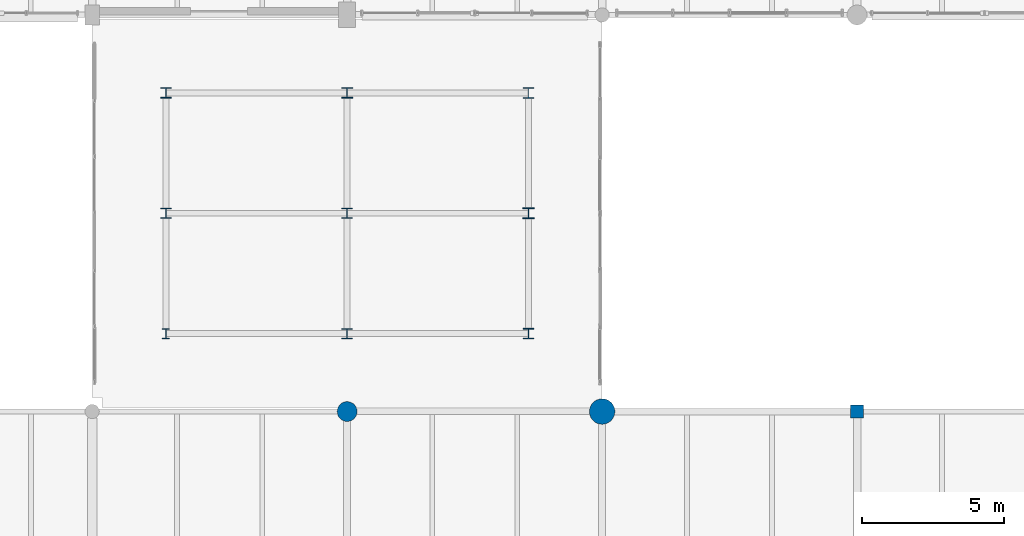
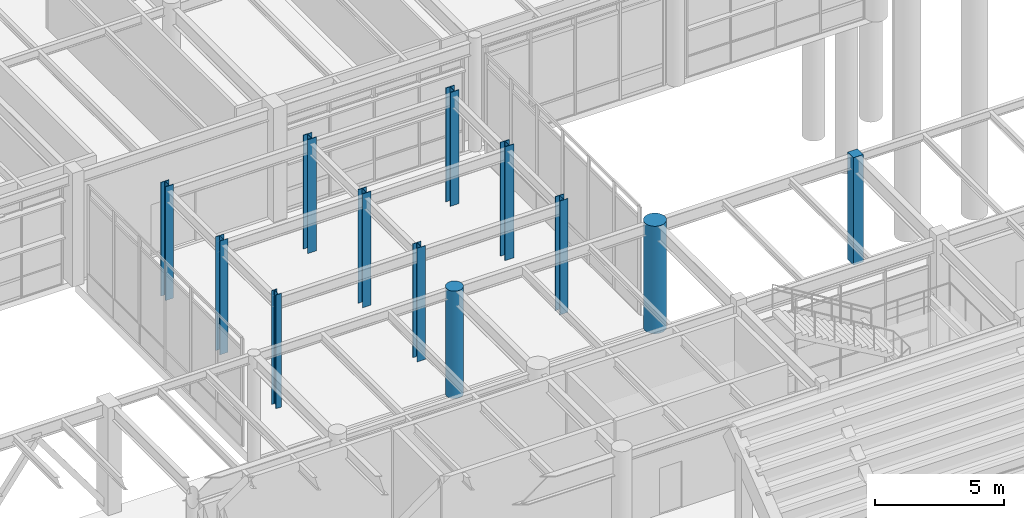
# One storey, part 13 of 203: 12 columns.
"""IFC4 building model written with IfcOpenShell, lengths in metres."""

from ifc_helpers import new_model, si_unit, direction, frame, origin, origin_2d, place, context, subcontext, project, spatial, rectangle, circle, i_section, extrude, material, material_profile, profile_set, type_object, element, save


model = new_model("IFC4")

# Units and contexts
model_context = context("Model", 3, precision=1e-05, world=origin(), true_north=direction((0.0, 1.0)))
body_context = subcontext(model_context, "Body", "Model", "MODEL_VIEW")
ifc_project = project(units=[si_unit("LENGTHUNIT", "METRE"), si_unit("AREAUNIT", "SQUARE_METRE"), si_unit("VOLUMEUNIT", "CUBIC_METRE"), si_unit("PLANEANGLEUNIT", "RADIAN"), si_unit("MASSUNIT", "GRAM", prefix="KILO"), si_unit("THERMODYNAMICTEMPERATUREUNIT", "KELVIN"), si_unit("POWERUNIT", "WATT")], contexts=[model_context])

# Site, building, storey
site_placement = place(None, origin())
site = spatial("IfcSite", under=ifc_project, at=site_placement, CompositionType="ELEMENT")
building_placement = place(site_placement, origin())
building = spatial("IfcBuilding", under=site, at=building_placement, Name="Tepalcoro Natatorium and Aquatics Centre", CompositionType="ELEMENT")
storey_placement = place(building_placement, origin())
storey = spatial("IfcBuildingStorey", under=building, at=storey_placement, Name="L00", CompositionType="ELEMENT", Elevation=0.0)

# Columns
ifc_material_1 = material(Name="Concrete C40/50 (fc 40 MPa)", Category="concrete")
ifc_material_profile_1 = material_profile(ifc_material_1, rectangle(XDim=0.449951171875, YDim=0.449951171875, at=origin_2d()), Name="RC450x450")
ifc_profile_set_1 = profile_set([ifc_material_profile_1], Name="Concrete C40/50 (fc 40 MPa)")
column_type_1 = type_object("IfcColumnType", Name="COL_RC_450x450", PredefinedType="COLUMN", material=ifc_profile_set_1)
column_1_placement = place(storey_placement, frame((80.0, 72.0, 0.0), z_axis=(0.0, 0.0, 1.0), x_axis=(1.0, 0.0, 0.0)))
element("IfcColumn", 1, at=column_1_placement, inside=storey, type_object=column_type_1, Name="V1 L00 Grid Column (80.0, 72.0)", PredefinedType="COLUMN", context=body_context, shape_type="SweptSolid", body=[
    extrude(rectangle(XDim=0.449951171875, YDim=0.449951171875, at=origin_2d()), origin(), (0.0, 0.0, 1.0), 5.10009765625),
])
ifc_material_profile_2 = material_profile(ifc_material_1, circle(Radius=0.35009765625, at=origin_2d()), Name="RCD700")
ifc_profile_set_2 = profile_set([ifc_material_profile_2], Name="Concrete C40/50 (fc 40 MPa)")
column_type_2 = type_object("IfcColumnType", Name="COL_RC_D700", PredefinedType="COLUMN", material=ifc_profile_set_2)
column_2_placement = place(storey_placement, frame((62.0, 72.0, 0.0), z_axis=(0.0, 0.0, 1.0), x_axis=(1.0, 0.0, 0.0)))
element("IfcColumn", 2, at=column_2_placement, inside=storey, type_object=column_type_2, Name="V1 L00 Grid Column (62.0, 72.0)", PredefinedType="COLUMN", context=body_context, shape_type="SweptSolid", body=[
    extrude(circle(Radius=0.35009765625, at=origin_2d()), origin(), (0.0, 0.0, 1.0), 5.10009765625),
])
ifc_material_profile_3 = material_profile(ifc_material_1, circle(Radius=0.449951171875, at=origin_2d()), Name="RCD900")
ifc_profile_set_3 = profile_set([ifc_material_profile_3], Name="Concrete C40/50 (fc 40 MPa)")
column_type_3 = type_object("IfcColumnType", Name="COL_RC_D900", PredefinedType="COLUMN", material=ifc_profile_set_3)
column_3_placement = place(storey_placement, frame((71.0, 72.0, 0.0), z_axis=(0.0, 0.0, 1.0), x_axis=(1.0, 0.0, 0.0)))
element("IfcColumn", 3, at=column_3_placement, inside=storey, type_object=column_type_3, Name="V1 L00 Grid Column (71.0, 72.0)", PredefinedType="COLUMN", context=body_context, shape_type="SweptSolid", body=[
    extrude(circle(Radius=0.449951171875, at=origin_2d()), origin(), (0.0, 0.0, 1.0), 5.10009765625),
])
ifc_material_2 = material(Name="Steel ASTM A992 Grade 50 (Fy 345 MPa)", Category="steel")
ifc_material_profile_4 = material_profile(ifc_material_2, i_section(OverallWidth=0.373046875, OverallDepth=0.367919921875, WebThickness=0.014892578125, FlangeThickness=0.02392578125, FilletRadius=0.013916015625, at=origin_2d()), Name="W14X120")
ifc_profile_set_4 = profile_set([ifc_material_profile_4], Name="Steel ASTM A992 Grade 50 (Fy 345 MPa)")
column_type_4 = type_object("IfcColumnType", Name="COL_W14x120", PredefinedType="COLUMN", material=ifc_profile_set_4)
for number, where, z_axis, x_axis, name in (
    (4, (55.60009765625, 83.25, 0.0), (0.0, 0.0, 1.0), (1.0, 0.0, 0.0), "West Court Swimmers Arcade Column L00"),
    (5, (62.0, 79.0, 0.0), (0.0, 0.0, 1.0), (1.0, 0.0, 0.0), "West Court Swimmers Arcade Column L00"),
    (6, (68.39990234375, 74.75, 0.0), (0.0, 0.0, 1.0), (1.0, 0.0, 0.0), "West Court Swimmers Arcade Column L00"),
):
    element("IfcColumn", number, at=place(storey_placement, frame(where, z_axis=z_axis, x_axis=x_axis)), inside=storey, type_object=column_type_4, Name=name, PredefinedType="COLUMN", context=body_context, shape_type="SweptSolid", body=[
        extrude(i_section(OverallWidth=0.373046875, OverallDepth=0.367919921875, WebThickness=0.014892578125, FlangeThickness=0.02392578125, FilletRadius=0.013916015625, at=origin_2d()), origin(), (0.0, 0.0, 1.0), 5.39990234375),
    ])
ifc_material_profile_5 = material_profile(ifc_material_2, i_section(OverallWidth=0.39404296875, OverallDepth=0.3759765625, WebThickness=0.01708984375, FlangeThickness=0.028076171875, FilletRadius=0.013916015625, at=origin_2d()), Name="W14X145")
ifc_profile_set_5 = profile_set([ifc_material_profile_5], Name="Steel ASTM A992 Grade 50 (Fy 345 MPa)")
column_type_5 = type_object("IfcColumnType", Name="COL_W14x145", PredefinedType="COLUMN", material=ifc_profile_set_5)
for number, where, z_axis, x_axis, name in (
    (7, (62.0, 83.25, 0.0), (0.0, 0.0, 1.0), (1.0, 0.0, 0.0), "West Court Swimmers Arcade Column L00"),
    (8, (68.39990234375, 79.0, 0.0), (0.0, 0.0, 1.0), (1.0, 0.0, 0.0), "West Court Swimmers Arcade Column L00"),
):
    element("IfcColumn", number, at=place(storey_placement, frame(where, z_axis=z_axis, x_axis=x_axis)), inside=storey, type_object=column_type_5, Name=name, PredefinedType="COLUMN", context=body_context, shape_type="SweptSolid", body=[
        extrude(i_section(OverallWidth=0.39404296875, OverallDepth=0.3759765625, WebThickness=0.01708984375, FlangeThickness=0.028076171875, FilletRadius=0.013916015625, at=origin_2d()), origin(), (0.0, 0.0, 1.0), 5.39990234375),
    ])
ifc_material_profile_6 = material_profile(ifc_material_2, i_section(OverallWidth=0.39892578125, OverallDepth=0.385986328125, WebThickness=0.02099609375, FlangeThickness=0.032958984375, FilletRadius=0.013916015625, at=origin_2d()), Name="W14X176")
ifc_profile_set_6 = profile_set([ifc_material_profile_6], Name="Steel ASTM A992 Grade 50 (Fy 345 MPa)")
column_type_6 = type_object("IfcColumnType", Name="COL_W14x176", PredefinedType="COLUMN", material=ifc_profile_set_6)
column_4_placement = place(storey_placement, frame((68.39990234375, 83.25, 0.0), z_axis=(0.0, 0.0, 1.0), x_axis=(1.0, 0.0, 0.0)))
element("IfcColumn", 9, at=column_4_placement, inside=storey, type_object=column_type_6, Name="West Court Swimmers Arcade Column L00", PredefinedType="COLUMN", context=body_context, shape_type="SweptSolid", body=[
    extrude(i_section(OverallWidth=0.39892578125, OverallDepth=0.385986328125, WebThickness=0.02099609375, FlangeThickness=0.032958984375, FilletRadius=0.013916015625, at=origin_2d()), origin(), (0.0, 0.0, 1.0), 5.39990234375),
])
ifc_material_profile_7 = material_profile(ifc_material_2, i_section(OverallWidth=0.25390625, OverallDepth=0.35595703125, WebThickness=0.010986328125, FlangeThickness=0.01806640625, FilletRadius=0.013916015625, at=origin_2d()), Name="W14X68")
ifc_profile_set_7 = profile_set([ifc_material_profile_7], Name="Steel ASTM A992 Grade 50 (Fy 345 MPa)")
column_type_7 = type_object("IfcColumnType", Name="COL_W14x68", PredefinedType="COLUMN", material=ifc_profile_set_7)
column_5_placement = place(storey_placement, frame((55.60009765625, 74.75, 0.0), z_axis=(0.0, 0.0, 1.0), x_axis=(1.0, 0.0, 0.0)))
element("IfcColumn", 10, at=column_5_placement, inside=storey, type_object=column_type_7, Name="West Court Swimmers Arcade Column L00", PredefinedType="COLUMN", context=body_context, shape_type="SweptSolid", body=[
    extrude(i_section(OverallWidth=0.25390625, OverallDepth=0.35595703125, WebThickness=0.010986328125, FlangeThickness=0.01806640625, FilletRadius=0.013916015625, at=origin_2d()), origin(), (0.0, 0.0, 1.0), 5.39990234375),
])
ifc_material_profile_8 = material_profile(ifc_material_2, i_section(OverallWidth=0.367919921875, OverallDepth=0.35595703125, WebThickness=0.010986328125, FlangeThickness=0.01806640625, FilletRadius=0.013916015625, at=origin_2d()), Name="W14X90")
ifc_profile_set_8 = profile_set([ifc_material_profile_8], Name="Steel ASTM A992 Grade 50 (Fy 345 MPa)")
column_type_8 = type_object("IfcColumnType", Name="COL_W14x90", PredefinedType="COLUMN", material=ifc_profile_set_8)
for number, where, z_axis, x_axis, name in (
    (11, (55.60009765625, 79.0, 0.0), (0.0, 0.0, 1.0), (1.0, 0.0, 0.0), "West Court Swimmers Arcade Column L00"),
    (12, (62.0, 74.75, 0.0), (0.0, 0.0, 1.0), (1.0, 0.0, 0.0), "West Court Swimmers Arcade Column L00"),
):
    element("IfcColumn", number, at=place(storey_placement, frame(where, z_axis=z_axis, x_axis=x_axis)), inside=storey, type_object=column_type_8, Name=name, PredefinedType="COLUMN", context=body_context, shape_type="SweptSolid", body=[
        extrude(i_section(OverallWidth=0.367919921875, OverallDepth=0.35595703125, WebThickness=0.010986328125, FlangeThickness=0.01806640625, FilletRadius=0.013916015625, at=origin_2d()), origin(), (0.0, 0.0, 1.0), 5.39990234375),
    ])

save(model, "model.ifc")
